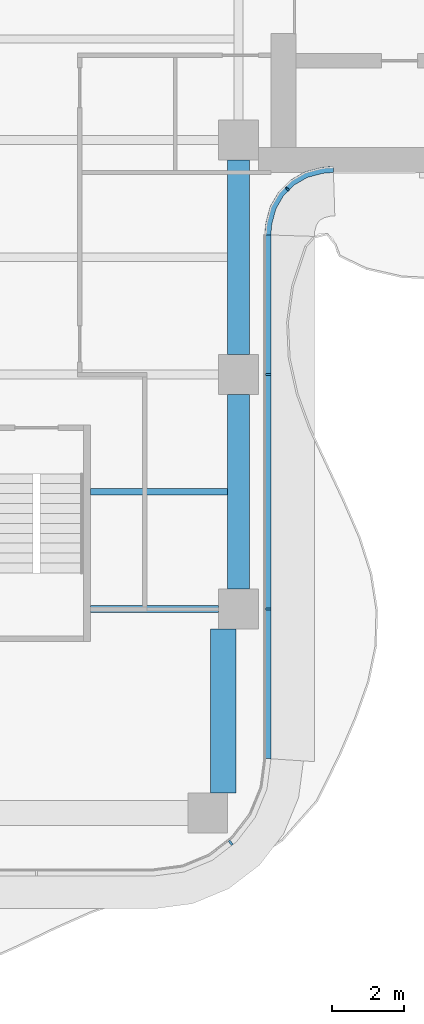
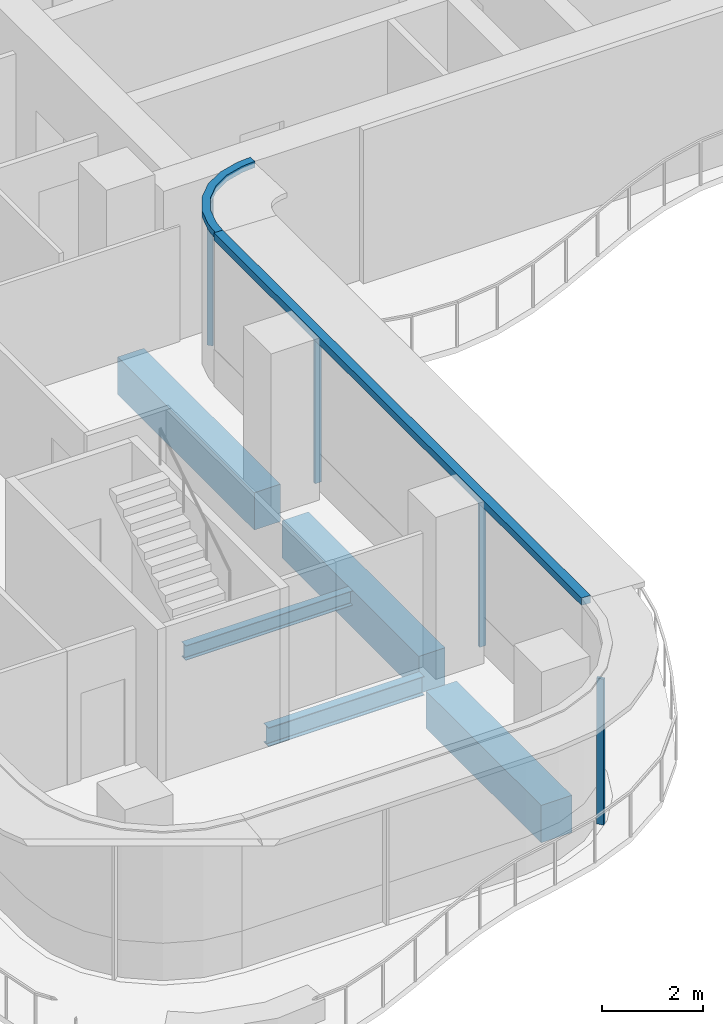
# One storey, part 5 of 19: 6 members, 5 beams, 3 elements without a shape of their own.
"""IFC4 building model written with IfcOpenShell, lengths in metres."""

from ifc_helpers import new_model, si_unit, direction, frame, origin, origin_2d, place, context, subcontext, project, spatial, polyline, rectangle, i_section, outline, extrude, source, transform, mapped, material, layer, layer_set, material_profile, profile_set, type_object, element, aggregate, save


model = new_model("IFC4")

# Units and contexts
model_context = context("Model", 3, precision=1e-05, world=origin(), true_north=direction((0.0, 1.0)))
body_context = subcontext(model_context, "Body", "Model", "MODEL_VIEW")
ifc_project = project(units=[si_unit("LENGTHUNIT", "METRE"), si_unit("AREAUNIT", "SQUARE_METRE"), si_unit("VOLUMEUNIT", "CUBIC_METRE"), si_unit("PLANEANGLEUNIT", "RADIAN"), si_unit("MASSUNIT", "GRAM", prefix="KILO")], contexts=[model_context])

# Site, building, storey
site_placement = place(None, origin())
site = spatial("IfcSite", under=ifc_project, at=site_placement, CompositionType="ELEMENT")
building_placement = place(site_placement, origin())
building = spatial("IfcBuilding", under=site, at=building_placement, Name="Trellis Farm Tower", CompositionType="ELEMENT")
storey_placement = place(building_placement, frame((0.0, 0.0, 228.5)))
storey = spatial("IfcBuildingStorey", under=building, at=storey_placement, Name="L50", CompositionType="ELEMENT", Elevation=228.5)

# Beams
ifc_material_1 = material(Name="Steel S355", Category="steel")
ifc_material_profile_1 = material_profile(ifc_material_1, i_section(OverallWidth=0.17138671875, OverallDepth=0.35498046875, WebThickness=0.00732421875, FlangeThickness=0.011474609375, FilletRadius=0.01025390625, at=origin_2d()), Name="UB 356x171x51")
ifc_profile_set_1 = profile_set([ifc_material_profile_1], Name="Steel S355")
beam_type_1 = type_object("IfcBeamType", Name="UB 356x171x51 joist", PredefinedType="JOIST", material=ifc_profile_set_1)
shared_shape_1 = source(origin(), body_context, "Body", "SweptSolid", [
    extrude(i_section(OverallWidth=0.17138671875, OverallDepth=0.35498046875, WebThickness=0.00732421875, FlangeThickness=0.011474609375, FilletRadius=0.01025390625, at=origin_2d()), origin(), (0.0, 0.0, 1.0), 3.800048828125),
])
beam_1_placement = place(storey_placement, frame((1.5, -15.35009765625, -0.37744140625), z_axis=(1.0, 0.0, 0.0), x_axis=(0.0, 1.0, 0.0)))
element("IfcBeam", 1, at=beam_1_placement, inside=storey, type_object=beam_type_1, Name="Floor beam", PredefinedType="JOIST", context=body_context, shape_type="MappedRepresentation", body=[
    mapped(shared_shape_1, transform((0.0, 0.0, 0.0))),
])
ifc_material_profile_2 = material_profile(ifc_material_1, i_section(OverallWidth=0.1904296875, OverallDepth=0.45703125, WebThickness=0.009033203125, FlangeThickness=0.014404296875, FilletRadius=0.01025390625, at=origin_2d()), Name="UB 457x191x74")
ifc_profile_set_2 = profile_set([ifc_material_profile_2], Name="Steel S355")
beam_type_2 = type_object("IfcBeamType", Name="UB 457x191x74", PredefinedType="BEAM", material=ifc_profile_set_2)
shared_shape_2 = source(origin(), body_context, "Body", "SweptSolid", [
    extrude(i_section(OverallWidth=0.1904296875, OverallDepth=0.45703125, WebThickness=0.009033203125, FlangeThickness=0.014404296875, FilletRadius=0.01025390625, at=origin_2d()), origin(), (0.0, 0.0, 1.0), 3.550048828125),
])
beam_2_placement = place(storey_placement, frame((1.5, -18.60009765625, -0.428466796875), z_axis=(1.0, 0.0, 0.0), x_axis=(0.0, 1.0, 0.0)))
element("IfcBeam", 2, at=beam_2_placement, inside=storey, type_object=beam_type_2, Name="Girder", PredefinedType="BEAM", context=body_context, shape_type="MappedRepresentation", body=[
    mapped(shared_shape_2, transform((0.0, 0.0, 0.0))),
])
ifc_material_2 = material(Name="Concrete C60/75", Category="concrete")
ifc_material_profile_3 = material_profile(ifc_material_2, rectangle(XDim=0.60009765625, YDim=0.89990234375, at=origin_2d()), Name="RC spandrel beam 600x900 C60/75")
ifc_profile_set_3 = profile_set([ifc_material_profile_3], Name="Concrete C60/75")
beam_type_3 = type_object("IfcBeamType", Name="RC spandrel beam 600x900 C60/75", PredefinedType="SPANDREL", material=ifc_profile_set_3)
shared_shape_3 = source(origin(), body_context, "Body", "SweptSolid", [
    extrude(rectangle(XDim=0.60009765625, YDim=0.89990234375, at=origin_2d()), origin(), (0.0, 0.0, 1.0), 5.400146484375),
])
for number, where, z_axis, x_axis, name in (
    (3, (5.60009765625, -18.050048828125, -0.64990234375), (0.0, 1.0, 0.0), (-1.0, 0.0, 0.0), "Girder"),
    (4, (5.60009765625, -11.550048828125, -0.64990234375), (0.0, 1.0, 0.0), (-1.0, 0.0, 0.0), "Girder"),
):
    element("IfcBeam", number, at=place(storey_placement, frame(where, z_axis=z_axis, x_axis=x_axis)), inside=storey, type_object=beam_type_3, Name=name, PredefinedType="SPANDREL", context=body_context, shape_type="MappedRepresentation", body=[
        mapped(shared_shape_3, transform((0.0, 0.0, 0.0))),
    ])
ifc_material_profile_4 = material_profile(ifc_material_2, rectangle(XDim=0.699951171875, YDim=0.89990234375, at=origin_2d()), Name="RC spandrel beam 700x900 C60/75")
ifc_profile_set_4 = profile_set([ifc_material_profile_4], Name="Concrete C60/75")
beam_type_4 = type_object("IfcBeamType", Name="RC spandrel beam 700x900 C60/75", PredefinedType="SPANDREL", material=ifc_profile_set_4)
shared_shape_4 = source(origin(), body_context, "Body", "SweptSolid", [
    extrude(rectangle(XDim=0.699951171875, YDim=0.89990234375, at=origin_2d()), origin(), (0.0, 0.0, 1.0), 4.550048828125),
])
beam_3_placement = place(storey_placement, frame((5.175048828125, -23.699951171875, -0.64990234375), z_axis=(0.0, 1.0, 0.0), x_axis=(-1.0, 0.0, 0.0)))
element("IfcBeam", 5, at=beam_3_placement, inside=storey, type_object=beam_type_4, Name="Girder", PredefinedType="SPANDREL", context=body_context, shape_type="MappedRepresentation", body=[
    mapped(shared_shape_4, transform((0.0, 0.0, 0.0))),
])

# Curtain wall, member
ifc_material_3 = material(Name="Aluminium and glass curtain wall", Category="aluminium")
ifc_layer_1 = layer(ifc_material_3, 0.166015625)
ifc_layer_set_1 = layer_set([ifc_layer_1], Name="WINTER GARDEN CURTAIN WALL CW3")
curtain_wall_type_1 = type_object("IfcCurtainWallType", Name="WINTER GARDEN CURTAIN WALL CW3", PredefinedType="NOTDEFINED", material=ifc_layer_set_1)
placement = place(storey_placement, origin())
curtain_wall_1 = element("IfcCurtainWall", 6, at=placement, inside=storey, type_object=curtain_wall_type_1, Name="CW3 002", PredefinedType="NOTDEFINED")
ifc_material_4 = material(Name="Aluminium extrusion 6063-T6", Category="aluminium")
ifc_layer_2 = layer(ifc_material_4, 0.169921875)
ifc_layer_set_2 = layer_set([ifc_layer_2], Name="Aluminium extrusion 6063-T6")
member_type_1 = type_object("IfcMemberType", Name="CW3 TRANSOM 170x150", PredefinedType="USERDEFINED", material=ifc_layer_set_2)
shared_shape_5 = source(origin(), body_context, "Body", "SweptSolid", [
    extrude(outline(polyline([(6.5, -8.2314453125), (6.513916015625, -8.01953125), (6.527587890625, -7.91552734375), (6.63671875, -7.508544921875), (6.846923828125, -7.144287109375), (7.144287109375, -6.846923828125), (7.508544921875, -6.63671875), (7.91552734375, -6.527587890625), (8.01953125, -6.513916015625), (8.2314453125, -6.5), (8.225830078125, -6.330078125), (8.0029296875, -6.3447265625), (7.88232421875, -6.360595703125), (7.44287109375, -6.478271484375), (7.0400390625, -6.7109375), (6.7109375, -7.0400390625), (6.478271484375, -7.44287109375), (6.360595703125, -7.88232421875), (6.3447265625, -8.0029296875), (6.330078125, -8.225830078125), (6.5, -8.2314453125)])), origin(), (0.0, 0.0, 1.0), 0.14990234375),
])
member_1_placement = place(storey_placement, frame((0.0, 0.0, 3.550048828125)))
member_1 = element("IfcMember", 7, at=member_1_placement, type_object=member_type_1, Name="TR3 002", ObjectType="TRANSOM", PredefinedType="USERDEFINED", context=body_context, shape_type="MappedRepresentation", body=[
    mapped(shared_shape_5, transform((0.0, 0.0, 0.0))),
])

ifc_layer_3 = layer(ifc_material_3, 0.18994140625)
ifc_layer_set_3 = layer_set([ifc_layer_3], Name="RIBBON CURTAIN WALL CW1")
curtain_wall_type_2 = type_object("IfcCurtainWallType", Name="RIBBON CURTAIN WALL CW1", PredefinedType="NOTDEFINED", material=ifc_layer_set_3)
curtain_wall_2 = element("IfcCurtainWall", 8, at=placement, inside=storey, type_object=curtain_wall_type_2, Name="CW1 004", PredefinedType="NOTDEFINED")
ifc_layer_4 = layer(ifc_material_4, 0.199951171875)
ifc_layer_set_4 = layer_set([ifc_layer_4], Name="Aluminium extrusion 6063-T6")
member_type_2 = type_object("IfcMemberType", Name="CW1 TRANSOM 200x180", PredefinedType="USERDEFINED", material=ifc_layer_set_4)
shared_shape_6 = source(origin(), body_context, "Body", "SweptSolid", [
    extrude(outline(polyline([(6.5, -22.75), (6.5, -8.2314453125), (6.300048828125, -8.224853515625), (6.300048828125, -22.73681640625), (6.5, -22.75)])), origin(), (0.0, 0.0, 1.0), 0.179931640625),
])
member_2_placement = place(storey_placement, frame((0.0, 0.0, 3.52001953125)))
member_2 = element("IfcMember", 9, at=member_2_placement, type_object=member_type_2, Name="TR1 004", ObjectType="TRANSOM", PredefinedType="USERDEFINED", context=body_context, shape_type="MappedRepresentation", body=[
    mapped(shared_shape_6, transform((0.0, 0.0, 0.0))),
])

curtain_wall_3 = element("IfcCurtainWall", 10, at=placement, inside=storey, type_object=curtain_wall_type_2, Name="CW1 003", PredefinedType="NOTDEFINED")
ifc_material_profile_5 = material_profile(ifc_material_4, rectangle(XDim=0.06005859375, YDim=0.14990234375, at=origin_2d()), Name="MULLION 60x150")
ifc_profile_set_5 = profile_set([ifc_material_profile_5], Name="Aluminium extrusion 6063-T6")
member_type_3 = type_object("IfcMemberType", Name="CW1 MULLION 60x150", PredefinedType="MULLION", material=ifc_profile_set_5)
shared_shape_7 = source(origin(), body_context, "Body", "SweptSolid", [
    extrude(rectangle(XDim=0.06005859375, YDim=0.14990234375, at=origin_2d()), origin(), (0.0, 0.0, 1.0), 3.52001953125),
])
member_3_placement = place(storey_placement, frame((5.385498046875, -25.078369140625, 0.0), z_axis=(0.0, 0.0, 1.0), x_axis=(0.793353340291, 0.608761429009, 0.0)))
member_3 = element("IfcMember", 11, at=member_3_placement, type_object=member_type_3, Name="MU1 003-02", PredefinedType="MULLION", context=body_context, shape_type="MappedRepresentation", body=[
    mapped(shared_shape_7, transform((0.0, 0.0, 0.0))),
])
aggregate(curtain_wall_3, [member_3])

# Member
member_4_placement = place(storey_placement, frame((6.425048828125, -18.60009765625, 0.0), z_axis=(0.0, 0.0, 1.0), x_axis=(0.0, 1.0, 0.0)))
member_4 = element("IfcMember", 12, at=member_4_placement, type_object=member_type_3, Name="MU1 004-01", PredefinedType="MULLION", context=body_context, shape_type="MappedRepresentation", body=[
    mapped(shared_shape_7, transform((0.0, 0.0, 0.0))),
])

member_5_placement = place(storey_placement, frame((6.425048828125, -12.10009765625, 0.0), z_axis=(0.0, 0.0, 1.0), x_axis=(0.0, 1.0, 0.0)))
member_5 = element("IfcMember", 13, at=member_5_placement, type_object=member_type_3, Name="MU1 004-02", PredefinedType="MULLION", context=body_context, shape_type="MappedRepresentation", body=[
    mapped(shared_shape_7, transform((0.0, 0.0, 0.0))),
])

aggregate(curtain_wall_2, [member_4, member_5, member_2])

ifc_material_profile_6 = material_profile(ifc_material_4, rectangle(XDim=0.050048828125, YDim=0.1201171875, at=origin_2d()), Name="MULLION 50x120")
ifc_profile_set_6 = profile_set([ifc_material_profile_6], Name="Aluminium extrusion 6063-T6")
member_type_4 = type_object("IfcMemberType", Name="CW3 MULLION 50x120", PredefinedType="MULLION", material=ifc_profile_set_6)
shared_shape_8 = source(origin(), body_context, "Body", "SweptSolid", [
    extrude(rectangle(XDim=0.050048828125, YDim=0.1201171875, at=origin_2d()), origin(), (0.0, 0.0, 1.0), 3.550048828125),
])
member_6_placement = place(storey_placement, frame((6.953125, -6.953125, 0.0), z_axis=(0.0, 0.0, 1.0), x_axis=(0.707106781187, 0.707106781187, 0.0)))
member_6 = element("IfcMember", 14, at=member_6_placement, type_object=member_type_4, Name="MU3 002-01", PredefinedType="MULLION", context=body_context, shape_type="MappedRepresentation", body=[
    mapped(shared_shape_8, transform((0.0, 0.0, 0.0))),
])

aggregate(curtain_wall_1, [member_6, member_1])

save(model, "model.ifc")
